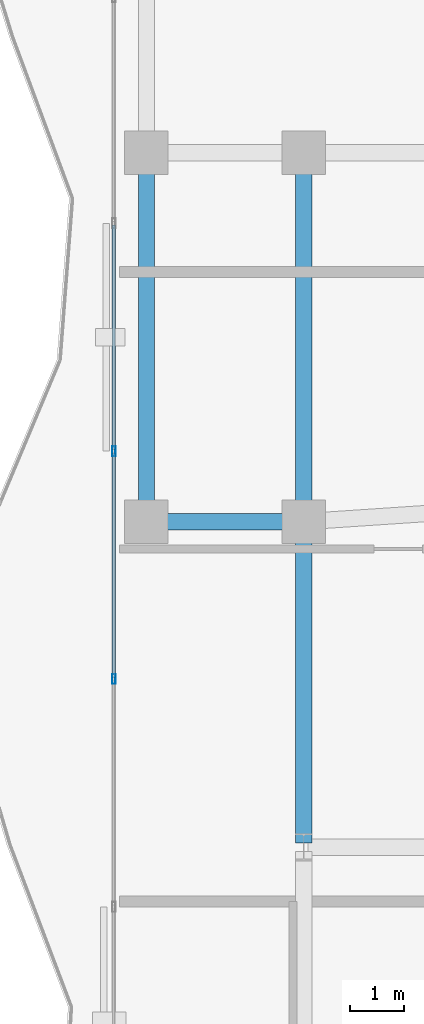
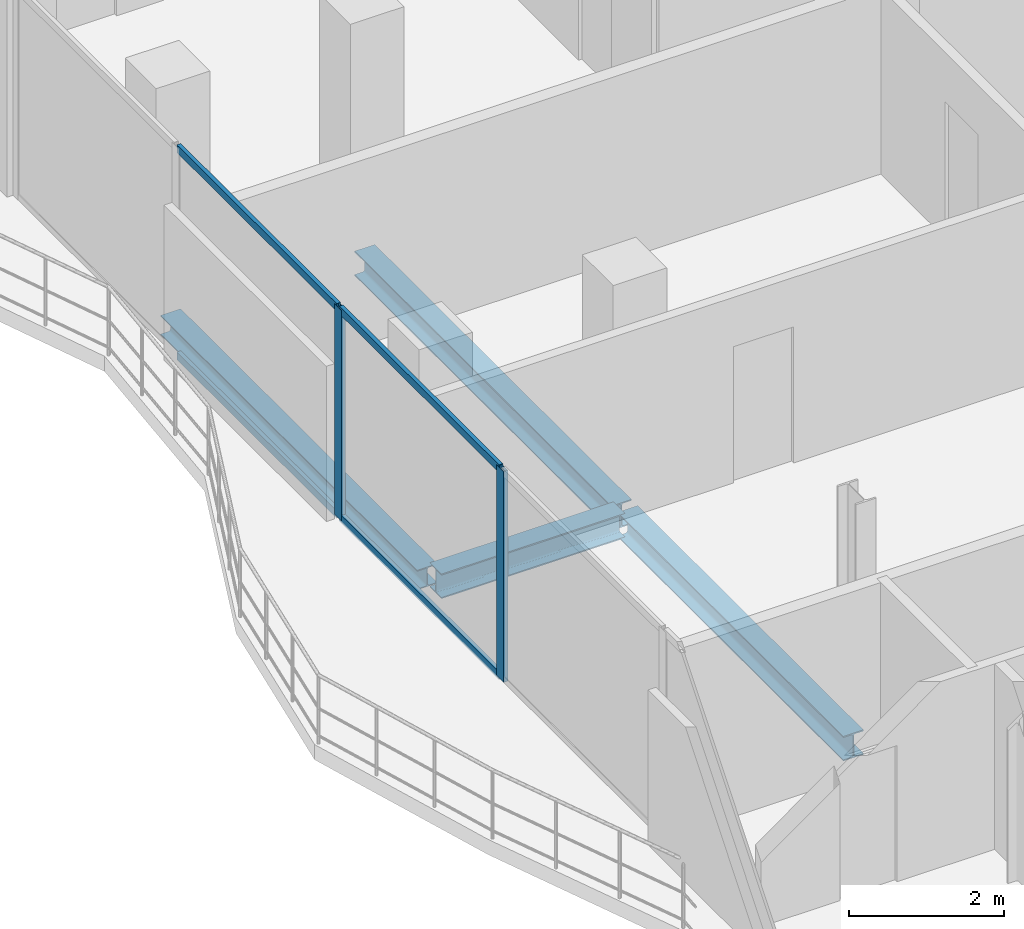
# One storey, part 7 of 24: 6 members, 4 beams, 1 element without a shape of its own.
"""IFC4 building model written with IfcOpenShell, lengths in metres."""

from ifc_helpers import new_model, si_unit, direction, frame, origin, origin_2d, place, context, subcontext, project, spatial, hollow_rectangle, i_section, extrude, material, layer, layer_set, material_profile, profile_set, type_object, element, aggregate, save


model = new_model("IFC4")

# Units and contexts
model_context = context("Model", 3, precision=1e-05, world=origin(), true_north=direction((0.0, 1.0)))
body_context = subcontext(model_context, "Body", "Model", "MODEL_VIEW")
ifc_project = project(units=[si_unit("LENGTHUNIT", "METRE"), si_unit("AREAUNIT", "SQUARE_METRE"), si_unit("VOLUMEUNIT", "CUBIC_METRE"), si_unit("PLANEANGLEUNIT", "RADIAN"), si_unit("MASSUNIT", "GRAM", prefix="KILO")], contexts=[model_context])

# Site, building, storey
site_placement = place(None, origin())
site = spatial("IfcSite", under=ifc_project, at=site_placement, CompositionType="ELEMENT")
building_placement = place(site_placement, origin())
building = spatial("IfcBuilding", under=site, at=building_placement, Name="Catumbela Crestline Tower", CompositionType="ELEMENT")
storey_placement = place(building_placement, frame((0.0, 0.0, 154.2)))
storey = spatial("IfcBuildingStorey", under=building, at=storey_placement, Name="L39", CompositionType="ELEMENT", Elevation=154.2)

# Beams
ifc_material_1 = material(Name="Structural steel S355J2", Category="steel")
ifc_material_profile_1 = material_profile(ifc_material_1, i_section(OverallWidth=0.3, OverallDepth=0.39, WebThickness=0.011, FlangeThickness=0.019, FilletRadius=0.027, at=origin_2d()), Name="HEA 400")
ifc_profile_set_1 = profile_set([ifc_material_profile_1], Name="Structural steel S355J2")
beam_type_1 = type_object("IfcBeamType", Name="BG-HEA400", PredefinedType="BEAM", material=ifc_profile_set_1)
beam_1_placement = place(storey_placement, frame((5.68, 24.0, -0.455), z_axis=(1.0, 0.0, 0.0), x_axis=(0.0, 1.0, 0.0)))
element("IfcBeam", 1, at=beam_1_placement, inside=storey, type_object=beam_type_1, Name="L39 Beam BM-L39-S01", PredefinedType="BEAM", context=body_context, shape_type="SweptSolid", body=[
    extrude(i_section(OverallWidth=0.3, OverallDepth=0.39, WebThickness=0.011, FlangeThickness=0.019, FilletRadius=0.027, at=origin_2d()), origin(), (0.0, 0.0, 1.0), 2.74),
])
beam_2_placement = place(storey_placement, frame((8.5, 24.08, -0.455), z_axis=(0.0, 1.0, 0.0), x_axis=(-1.0, 0.0, 0.0)))
element("IfcBeam", 2, at=beam_2_placement, inside=storey, type_object=beam_type_1, Name="L39 Beam BM-L39-SN16", PredefinedType="BEAM", context=body_context, shape_type="SweptSolid", body=[
    extrude(i_section(OverallWidth=0.3, OverallDepth=0.39, WebThickness=0.011, FlangeThickness=0.019, FilletRadius=0.027, at=origin_2d()), origin(), (0.0, 0.0, 1.0), 6.64),
])
beam_3_placement = place(storey_placement, frame((8.5, 18.08, -0.455), z_axis=(0.0, 1.0, 0.0), x_axis=(-1.0, 0.0, 0.0)))
element("IfcBeam", 3, at=beam_3_placement, inside=storey, type_object=beam_type_1, Name="L39 Beam BM-L39-WNS39", PredefinedType="BEAM", context=body_context, shape_type="SweptSolid", body=[
    extrude(i_section(OverallWidth=0.3, OverallDepth=0.39, WebThickness=0.011, FlangeThickness=0.019, FilletRadius=0.027, at=origin_2d()), origin(), (0.0, 0.0, 1.0), 5.84),
])

# Curtain wall, members
ifc_material_2 = material(Name="Aluminium alloy AW-6060-T66", Category="aluminium")
ifc_layer = layer(ifc_material_2, 0.18, Name="Aluminium alloy AW-6060-T66")
ifc_layer_set = layer_set([ifc_layer], Name="Aluminium alloy AW-6060-T66")
curtain_wall_type = type_object("IfcCurtainWallType", Name="CWU-Z3", PredefinedType="USERDEFINED", material=ifc_layer_set)
curtain_wall_placement = place(storey_placement, origin())
curtain_wall = element("IfcCurtainWall", 4, at=curtain_wall_placement, inside=storey, type_object=curtain_wall_type, Name="L39 Unitised Curtain Wall CW-L39-E9S2", ObjectType="UNITISED", PredefinedType="USERDEFINED")
ifc_material_profile_2 = material_profile(ifc_material_2, hollow_rectangle(XDim=0.065, YDim=0.18, WallThickness=0.004, at=origin_2d()), Name="ALU 180x65x4")
ifc_profile_set_2 = profile_set([ifc_material_profile_2], Name="Aluminium alloy AW-6060-T66")
member_type_1 = type_object("IfcMemberType", Name="MUL-180X65", PredefinedType="MULLION", material=ifc_profile_set_2)
member_1_placement = place(storey_placement, frame((5.0, 25.3, 0.0), z_axis=(0.0, 0.0, 1.0), x_axis=(1.0, 0.0, 0.0)))
member_1 = element("IfcMember", 5, at=member_1_placement, type_object=member_type_1, Name="CWU-Z3 mullion 3", PredefinedType="MULLION", context=body_context, shape_type="SweptSolid", body=[
    extrude(hollow_rectangle(XDim=0.065, YDim=0.18, WallThickness=0.004, at=origin_2d()), origin(), (0.0, 0.0, 1.0), 3.33),
])
member_2_placement = place(storey_placement, frame((5.0, 21.1, 0.0), z_axis=(0.0, 0.0, 1.0), x_axis=(1.0, 0.0, 0.0)))
member_2 = element("IfcMember", 6, at=member_2_placement, type_object=member_type_1, Name="CWU-Z3 mullion 4", PredefinedType="MULLION", context=body_context, shape_type="SweptSolid", body=[
    extrude(hollow_rectangle(XDim=0.065, YDim=0.18, WallThickness=0.004, at=origin_2d()), origin(), (0.0, 0.0, 1.0), 3.33),
])

# Beam
ifc_material_profile_3 = material_profile(ifc_material_1, i_section(OverallWidth=0.3, OverallDepth=0.31, WebThickness=0.009, FlangeThickness=0.0155, FilletRadius=0.027, at=origin_2d()), Name="HEA 320")
ifc_profile_set_3 = profile_set([ifc_material_profile_3], Name="Structural steel S355J2")
beam_type_2 = type_object("IfcBeamType", Name="BS-HEA320", PredefinedType="SPANDREL", material=ifc_profile_set_3)
beam_4_placement = place(storey_placement, frame((5.6, 24.08, -0.415), z_axis=(0.0, 1.0, 0.0), x_axis=(-1.0, 0.0, 0.0)))
element("IfcBeam", 7, at=beam_4_placement, inside=storey, type_object=beam_type_2, Name="L39 Spandrel SP-L39-SN14", PredefinedType="SPANDREL", context=body_context, shape_type="SweptSolid", body=[
    extrude(i_section(OverallWidth=0.3, OverallDepth=0.31, WebThickness=0.009, FlangeThickness=0.0155, FilletRadius=0.027, at=origin_2d()), origin(), (0.0, 0.0, 1.0), 6.64),
])

# Member
ifc_material_profile_4 = material_profile(ifc_material_2, hollow_rectangle(XDim=0.06, YDim=0.12, WallThickness=0.0035, at=origin_2d()), Name="ALU 120x60x3.5")
ifc_profile_set_4 = profile_set([ifc_material_profile_4], Name="Aluminium alloy AW-6060-T66")
member_type_2 = type_object("IfcMemberType", Name="TRN-120X60", PredefinedType="USERDEFINED", material=ifc_profile_set_4)
member_3_placement = place(storey_placement, frame((5.0, 29.4675, 0.03), z_axis=(0.0, -1.0, 0.0), x_axis=(1.0, 0.0, 0.0)))
member_3 = element("IfcMember", 8, at=member_3_placement, type_object=member_type_2, Name="CWU-Z3 transom 2.1", ObjectType="TRANSOM", PredefinedType="USERDEFINED", context=body_context, shape_type="SweptSolid", body=[
    extrude(hollow_rectangle(XDim=0.06, YDim=0.12, WallThickness=0.0035, at=origin_2d()), origin(), (0.0, 0.0, 1.0), 4.135),
])

member_4_placement = place(storey_placement, frame((5.0, 29.4675, 3.3), z_axis=(0.0, -1.0, 0.0), x_axis=(1.0, 0.0, 0.0)))
member_4 = element("IfcMember", 9, at=member_4_placement, type_object=member_type_2, Name="CWU-Z3 transom 2.2", ObjectType="TRANSOM", PredefinedType="USERDEFINED", context=body_context, shape_type="SweptSolid", body=[
    extrude(hollow_rectangle(XDim=0.06, YDim=0.12, WallThickness=0.0035, at=origin_2d()), origin(), (0.0, 0.0, 1.0), 4.135),
])

member_5_placement = place(storey_placement, frame((5.0, 25.2675, 0.03), z_axis=(0.0, -1.0, 0.0), x_axis=(1.0, 0.0, 0.0)))
member_5 = element("IfcMember", 10, at=member_5_placement, type_object=member_type_2, Name="CWU-Z3 transom 3.1", ObjectType="TRANSOM", PredefinedType="USERDEFINED", context=body_context, shape_type="SweptSolid", body=[
    extrude(hollow_rectangle(XDim=0.06, YDim=0.12, WallThickness=0.0035, at=origin_2d()), origin(), (0.0, 0.0, 1.0), 4.135),
])

member_6_placement = place(storey_placement, frame((5.0, 25.2675, 3.3), z_axis=(0.0, -1.0, 0.0), x_axis=(1.0, 0.0, 0.0)))
member_6 = element("IfcMember", 11, at=member_6_placement, type_object=member_type_2, Name="CWU-Z3 transom 3.2", ObjectType="TRANSOM", PredefinedType="USERDEFINED", context=body_context, shape_type="SweptSolid", body=[
    extrude(hollow_rectangle(XDim=0.06, YDim=0.12, WallThickness=0.0035, at=origin_2d()), origin(), (0.0, 0.0, 1.0), 4.135),
])

aggregate(curtain_wall, [member_1, member_2, member_3, member_4, member_5, member_6])

save(model, "model.ifc")
